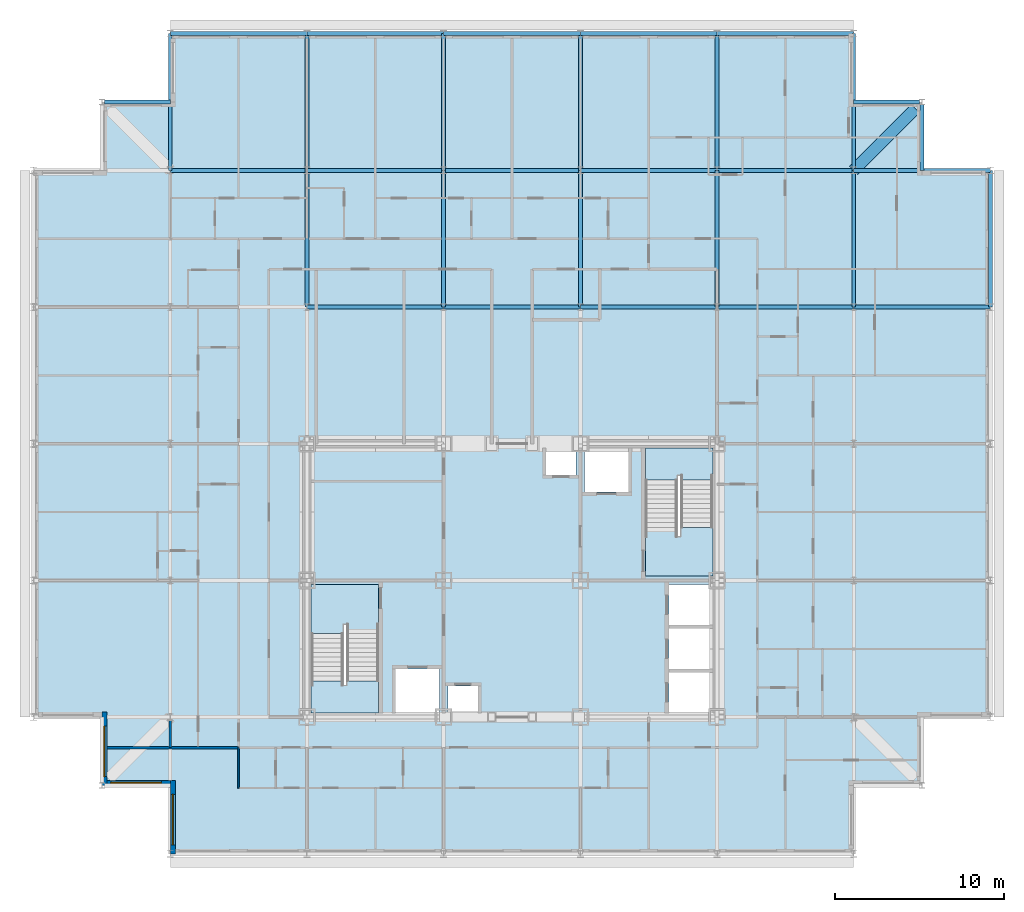
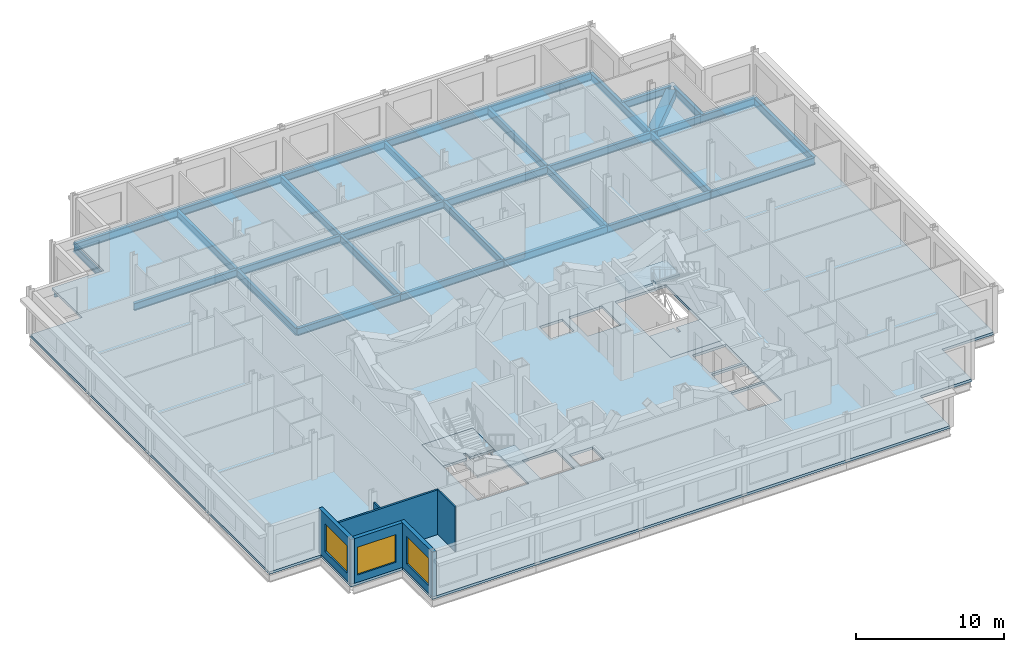
# One storey, part 6 of 15: 32 beams, 6 walls, 5 slabs, 3 windows, 3 openings, 2 elements without a shape of their own.
"""IFC4 building model written with IfcOpenShell, lengths in metres."""

from ifc_helpers import new_model, si_unit, direction, frame, frame_2d, origin, origin_2d, place, context, subcontext, project, spatial, polyline, rectangle, hollow_rectangle, i_section, outline, extrude, material, layer, layer_set, material_profile, profile_set, type_object, element, fill, aggregate, save


model = new_model("IFC4")

# Units and contexts
model_context = context("Model", 3, precision=1e-05, world=origin(), true_north=direction((0.0, 1.0)))
body_context = subcontext(model_context, "Body", "Model", "MODEL_VIEW")
ifc_project = project(units=[si_unit("LENGTHUNIT", "METRE"), si_unit("AREAUNIT", "SQUARE_METRE"), si_unit("VOLUMEUNIT", "CUBIC_METRE"), si_unit("PLANEANGLEUNIT", "RADIAN"), si_unit("MASSUNIT", "GRAM", prefix="KILO")], contexts=[model_context])

# Site, building, storey
site_placement = place(None, origin())
site = spatial("IfcSite", under=ifc_project, at=site_placement, CompositionType="ELEMENT")
building_placement = place(site_placement, origin())
building = spatial("IfcBuilding", under=site, at=building_placement, Name="Kopane Lantern Tower", CompositionType="ELEMENT")
storey_placement = place(building_placement, frame((0.0, 0.0, 273.60009765625)))
storey = spatial("IfcBuildingStorey", under=building, at=storey_placement, Name="L70", CompositionType="ELEMENT", Elevation=273.60009765625)

# Beams
ifc_material_1 = material(Name="Steel S355JR", Category="steel")
ifc_material_profile_1 = material_profile(ifc_material_1, hollow_rectangle(XDim=0.699951171875, YDim=0.699951171875, WallThickness=0.06005859375, at=origin_2d()), Name="BOX 700x700x60")
ifc_profile_set_1 = profile_set([ifc_material_profile_1], Name="Steel S355JR")
beam_type_1 = type_object("IfcBeamType", Name="CORNER TIE BEAM BOX 700x700x60", PredefinedType="BEAM", material=ifc_profile_set_1)
beam_1_placement = place(storey_placement, frame((52.25244140625, 60.3525390625, -0.56005859375), z_axis=(-0.707083148333, -0.70713041325, 0.0), x_axis=(0.70713041325, -0.707083148333, 0.0)))
element("IfcBeam", 1, at=beam_1_placement, inside=storey, type_object=beam_type_1, Name="Corner Tie Beam L70", PredefinedType="BEAM", context=body_context, shape_type="SweptSolid", body=[
    extrude(hollow_rectangle(XDim=0.699951171875, YDim=0.699951171875, WallThickness=0.06005859375, at=origin_2d()), origin(), (0.0, 0.0, 1.0), 5.165283203125),
])
ifc_material_2 = material(Name="Steel S355JR", Category="steel")
ifc_material_profile_2 = material_profile(ifc_material_2, i_section(OverallWidth=0.22900390625, OverallDepth=0.6123046875, WebThickness=0.011962890625, FlangeThickness=0.01953125, FilletRadius=0.0126953125, at=origin_2d()), Name="UB 610x229x125")
ifc_profile_set_2 = profile_set([ifc_material_profile_2], Name="Steel S355JR")
beam_type_2 = type_object("IfcBeamType", Name="EDGE BEAM UB 610x229x125", PredefinedType="BEAM", material=ifc_profile_set_2)
beam_2_placement = place(storey_placement, frame((4.20361328125, 60.75, -0.51611328125), z_axis=(1.0, 0.0, 0.0), x_axis=(0.0, 1.0, 0.0)))
element("IfcBeam", 2, at=beam_2_placement, inside=storey, type_object=beam_type_2, Name="Edge Beam L70", PredefinedType="BEAM", context=body_context, shape_type="SweptSolid", body=[
    extrude(i_section(OverallWidth=0.22900390625, OverallDepth=0.6123046875, WebThickness=0.011962890625, FlangeThickness=0.01953125, FilletRadius=0.0126953125, at=origin_2d()), origin(), (0.0, 0.0, 1.0), 3.896484375),
])
for number, where, z_axis, x_axis, name in (
    (3, (52.496337890625, 60.75, -0.51611328125), (-1.0, 0.0, 0.0), (0.0, -1.0, 0.0), "Edge Beam L70"),
    (4, (52.64990234375, 60.59619140625, -0.51611328125), (0.0, -1.0, 0.0), (1.0, 0.0, 0.0), "Edge Beam L70"),
):
    element("IfcBeam", number, at=place(storey_placement, frame(where, z_axis=z_axis, x_axis=x_axis)), inside=storey, type_object=beam_type_2, Name=name, PredefinedType="BEAM", context=body_context, shape_type="SweptSolid", body=[
        extrude(i_section(OverallWidth=0.22900390625, OverallDepth=0.6123046875, WebThickness=0.011962890625, FlangeThickness=0.01953125, FilletRadius=0.0126953125, at=origin_2d()), origin(), (0.0, 0.0, 1.0), 3.896240234375),
    ])
ifc_material_3 = material(Name="Steel S355JR", Category="steel")
ifc_material_profile_3 = material_profile(ifc_material_3, i_section(OverallWidth=0.22900390625, OverallDepth=0.6123046875, WebThickness=0.011962890625, FlangeThickness=0.01953125, FilletRadius=0.0126953125, at=origin_2d()), Name="UB 610x229x125")
ifc_profile_set_3 = profile_set([ifc_material_profile_3], Name="Steel S355JR")
beam_type_3 = type_object("IfcBeamType", Name="GIRDER UB 610x229x125", PredefinedType="BEAM", material=ifc_profile_set_3)
beam_3_placement = place(storey_placement, frame((8.10009765625, 56.699951171875, -0.51611328125), z_axis=(0.0, 1.0, 0.0), x_axis=(-1.0, 0.0, 0.0)))
element("IfcBeam", 5, at=beam_3_placement, inside=storey, type_object=beam_type_3, Name="Girder L70", PredefinedType="BEAM", context=body_context, shape_type="SweptSolid", body=[
    extrude(i_section(OverallWidth=0.22900390625, OverallDepth=0.6123046875, WebThickness=0.011962890625, FlangeThickness=0.01953125, FilletRadius=0.0126953125, at=origin_2d()), origin(), (0.0, 0.0, 1.0), 8.10009765625),
])
for number, where, z_axis, x_axis, name in (
    (6, (8.10009765625, 56.699951171875, -0.51611328125), (1.0, 0.0, 0.0), (0.0, 1.0, 0.0), "Girder L70"),
    (7, (8.10009765625, 64.800048828125, -0.51611328125), (1.0, 0.0, 0.0), (0.0, 1.0, 0.0), "Girder L70"),
    (8, (16.199951171875, 48.60009765625, -0.51611328125), (0.0, 1.0, 0.0), (-1.0, 0.0, 0.0), "Girder L70"),
):
    element("IfcBeam", number, at=place(storey_placement, frame(where, z_axis=z_axis, x_axis=x_axis)), inside=storey, type_object=beam_type_3, Name=name, PredefinedType="BEAM", context=body_context, shape_type="SweptSolid", body=[
        extrude(i_section(OverallWidth=0.22900390625, OverallDepth=0.6123046875, WebThickness=0.011962890625, FlangeThickness=0.01953125, FilletRadius=0.0126953125, at=origin_2d()), origin(), (0.0, 0.0, 1.0), 8.099853515625),
    ])
for number, where, z_axis, x_axis, name in (
    (9, (16.199951171875, 48.60009765625, -0.51611328125), (1.0, 0.0, 0.0), (0.0, 1.0, 0.0), "Girder L70"),
    (10, (16.199951171875, 56.699951171875, -0.51611328125), (0.0, 1.0, 0.0), (-1.0, 0.0, 0.0), "Girder L70"),
    (11, (16.199951171875, 56.699951171875, -0.51611328125), (1.0, 0.0, 0.0), (0.0, 1.0, 0.0), "Girder L70"),
    (12, (16.199951171875, 64.800048828125, -0.51611328125), (1.0, 0.0, 0.0), (0.0, 1.0, 0.0), "Girder L70"),
):
    element("IfcBeam", number, at=place(storey_placement, frame(where, z_axis=z_axis, x_axis=x_axis)), inside=storey, type_object=beam_type_3, Name=name, PredefinedType="BEAM", context=body_context, shape_type="SweptSolid", body=[
        extrude(i_section(OverallWidth=0.22900390625, OverallDepth=0.6123046875, WebThickness=0.011962890625, FlangeThickness=0.01953125, FilletRadius=0.0126953125, at=origin_2d()), origin(), (0.0, 0.0, 1.0), 8.10009765625),
    ])
for number, where, z_axis, x_axis, name in (
    (13, (24.300048828125, 48.60009765625, -0.51611328125), (0.0, 1.0, 0.0), (-1.0, 0.0, 0.0), "Girder L70"),
    (14, (24.300048828125, 48.60009765625, -0.51611328125), (1.0, 0.0, 0.0), (0.0, 1.0, 0.0), "Girder L70"),
):
    element("IfcBeam", number, at=place(storey_placement, frame(where, z_axis=z_axis, x_axis=x_axis)), inside=storey, type_object=beam_type_3, Name=name, PredefinedType="BEAM", context=body_context, shape_type="SweptSolid", body=[
        extrude(i_section(OverallWidth=0.22900390625, OverallDepth=0.6123046875, WebThickness=0.011962890625, FlangeThickness=0.01953125, FilletRadius=0.0126953125, at=origin_2d()), origin(), (0.0, 0.0, 1.0), 8.099853515625),
    ])
beam_4_placement = place(storey_placement, frame((24.300048828125, 56.699951171875, -0.51611328125), z_axis=(0.0, 1.0, 0.0), x_axis=(-1.0, 0.0, 0.0)))
element("IfcBeam", 15, at=beam_4_placement, inside=storey, type_object=beam_type_3, Name="Girder L70", PredefinedType="BEAM", context=body_context, shape_type="SweptSolid", body=[
    extrude(i_section(OverallWidth=0.22900390625, OverallDepth=0.6123046875, WebThickness=0.011962890625, FlangeThickness=0.01953125, FilletRadius=0.0126953125, at=origin_2d()), origin(), (0.0, 0.0, 1.0), 8.10009765625),
])
for number, where, z_axis, x_axis, name in (
    (16, (24.300048828125, 56.699951171875, -0.51611328125), (1.0, 0.0, 0.0), (0.0, 1.0, 0.0), "Girder L70"),
    (17, (24.300048828125, 64.800048828125, -0.51611328125), (1.0, 0.0, 0.0), (0.0, 1.0, 0.0), "Girder L70"),
    (18, (32.39990234375, 48.60009765625, -0.51611328125), (0.0, 1.0, 0.0), (-1.0, 0.0, 0.0), "Girder L70"),
):
    element("IfcBeam", number, at=place(storey_placement, frame(where, z_axis=z_axis, x_axis=x_axis)), inside=storey, type_object=beam_type_3, Name=name, PredefinedType="BEAM", context=body_context, shape_type="SweptSolid", body=[
        extrude(i_section(OverallWidth=0.22900390625, OverallDepth=0.6123046875, WebThickness=0.011962890625, FlangeThickness=0.01953125, FilletRadius=0.0126953125, at=origin_2d()), origin(), (0.0, 0.0, 1.0), 8.099853515625),
    ])
for number, where, z_axis, x_axis, name in (
    (19, (32.39990234375, 48.60009765625, -0.51611328125), (1.0, 0.0, 0.0), (0.0, 1.0, 0.0), "Girder L70"),
    (20, (32.39990234375, 56.699951171875, -0.51611328125), (0.0, 1.0, 0.0), (-1.0, 0.0, 0.0), "Girder L70"),
    (21, (32.39990234375, 56.699951171875, -0.51611328125), (1.0, 0.0, 0.0), (0.0, 1.0, 0.0), "Girder L70"),
    (22, (32.39990234375, 64.800048828125, -0.51611328125), (1.0, 0.0, 0.0), (0.0, 1.0, 0.0), "Girder L70"),
):
    element("IfcBeam", number, at=place(storey_placement, frame(where, z_axis=z_axis, x_axis=x_axis)), inside=storey, type_object=beam_type_3, Name=name, PredefinedType="BEAM", context=body_context, shape_type="SweptSolid", body=[
        extrude(i_section(OverallWidth=0.22900390625, OverallDepth=0.6123046875, WebThickness=0.011962890625, FlangeThickness=0.01953125, FilletRadius=0.0126953125, at=origin_2d()), origin(), (0.0, 0.0, 1.0), 8.10009765625),
    ])
beam_5_placement = place(storey_placement, frame((40.5, 48.60009765625, -0.51611328125), z_axis=(0.0, 1.0, 0.0), x_axis=(-1.0, 0.0, 0.0)))
element("IfcBeam", 23, at=beam_5_placement, inside=storey, type_object=beam_type_3, Name="Girder L70", PredefinedType="BEAM", context=body_context, shape_type="SweptSolid", body=[
    extrude(i_section(OverallWidth=0.22900390625, OverallDepth=0.6123046875, WebThickness=0.011962890625, FlangeThickness=0.01953125, FilletRadius=0.0126953125, at=origin_2d()), origin(), (0.0, 0.0, 1.0), 8.099853515625),
])
for number, where, z_axis, x_axis, name in (
    (24, (40.5, 48.60009765625, -0.51611328125), (1.0, 0.0, 0.0), (0.0, 1.0, 0.0), "Girder L70"),
    (25, (40.5, 56.699951171875, -0.51611328125), (0.0, 1.0, 0.0), (-1.0, 0.0, 0.0), "Girder L70"),
    (26, (40.5, 56.699951171875, -0.51611328125), (1.0, 0.0, 0.0), (0.0, 1.0, 0.0), "Girder L70"),
    (27, (40.5, 64.800048828125, -0.51611328125), (1.0, 0.0, 0.0), (0.0, 1.0, 0.0), "Girder L70"),
):
    element("IfcBeam", number, at=place(storey_placement, frame(where, z_axis=z_axis, x_axis=x_axis)), inside=storey, type_object=beam_type_3, Name=name, PredefinedType="BEAM", context=body_context, shape_type="SweptSolid", body=[
        extrude(i_section(OverallWidth=0.22900390625, OverallDepth=0.6123046875, WebThickness=0.011962890625, FlangeThickness=0.01953125, FilletRadius=0.0126953125, at=origin_2d()), origin(), (0.0, 0.0, 1.0), 8.10009765625),
    ])
for number, where, z_axis, x_axis, name in (
    (28, (48.60009765625, 48.60009765625, -0.51611328125), (0.0, 1.0, 0.0), (-1.0, 0.0, 0.0), "Girder L70"),
    (29, (48.60009765625, 48.60009765625, -0.51611328125), (1.0, 0.0, 0.0), (0.0, 1.0, 0.0), "Girder L70"),
):
    element("IfcBeam", number, at=place(storey_placement, frame(where, z_axis=z_axis, x_axis=x_axis)), inside=storey, type_object=beam_type_3, Name=name, PredefinedType="BEAM", context=body_context, shape_type="SweptSolid", body=[
        extrude(i_section(OverallWidth=0.22900390625, OverallDepth=0.6123046875, WebThickness=0.011962890625, FlangeThickness=0.01953125, FilletRadius=0.0126953125, at=origin_2d()), origin(), (0.0, 0.0, 1.0), 8.099853515625),
    ])
beam_6_placement = place(storey_placement, frame((48.60009765625, 56.699951171875, -0.51611328125), z_axis=(0.0, 1.0, 0.0), x_axis=(-1.0, 0.0, 0.0)))
element("IfcBeam", 30, at=beam_6_placement, inside=storey, type_object=beam_type_3, Name="Girder L70", PredefinedType="BEAM", context=body_context, shape_type="SweptSolid", body=[
    extrude(i_section(OverallWidth=0.22900390625, OverallDepth=0.6123046875, WebThickness=0.011962890625, FlangeThickness=0.01953125, FilletRadius=0.0126953125, at=origin_2d()), origin(), (0.0, 0.0, 1.0), 8.10009765625),
])
for number, where, z_axis, x_axis, name in (
    (31, (48.60009765625, 56.699951171875, -0.51611328125), (1.0, 0.0, 0.0), (0.0, 1.0, 0.0), "Girder L70"),
    (32, (56.699951171875, 48.60009765625, -0.51611328125), (0.0, 1.0, 0.0), (-1.0, 0.0, 0.0), "Girder L70"),
):
    element("IfcBeam", number, at=place(storey_placement, frame(where, z_axis=z_axis, x_axis=x_axis)), inside=storey, type_object=beam_type_3, Name=name, PredefinedType="BEAM", context=body_context, shape_type="SweptSolid", body=[
        extrude(i_section(OverallWidth=0.22900390625, OverallDepth=0.6123046875, WebThickness=0.011962890625, FlangeThickness=0.01953125, FilletRadius=0.0126953125, at=origin_2d()), origin(), (0.0, 0.0, 1.0), 8.099853515625),
    ])

# Slab
ifc_material_4 = material(Name="Concrete C40/50", Category="concrete")
ifc_layer_1 = layer(ifc_material_4, 0.2099609375)
ifc_layer_set_1 = layer_set([ifc_layer_1], Name="SLAB 210 COMPOSITE")
slab_type_1 = type_object("IfcSlabType", Name="SLAB 210 COMPOSITE", PredefinedType="FLOOR", material=ifc_layer_set_1)
slab_1_placement = place(storey_placement, frame((0.0, 0.0, -0.210205078125)))
element("IfcSlab", 33, at=slab_1_placement, inside=storey, type_object=slab_type_1, Name="Floor slab L70", PredefinedType="FLOOR", context=body_context, shape_type="SweptSolid", body=[
    extrude(outline(polyline([(8.10009765625, 16.199951171875), (48.60009765625, 16.199951171875), (48.60009765625, 20.25), (52.64990234375, 20.25), (52.64990234375, 24.300048828125), (56.699951171875, 24.300048828125), (56.699951171875, 56.699951171875), (52.64990234375, 56.699951171875), (52.64990234375, 60.75), (48.60009765625, 60.75), (48.60009765625, 64.800048828125), (8.10009765625, 64.800048828125), (8.10009765625, 60.75), (4.050048828125, 60.75), (4.050048828125, 56.699951171875), (0.0, 56.699951171875), (0.0, 24.300048828125), (4.050048828125, 24.300048828125), (4.050048828125, 20.25), (8.10009765625, 20.25), (8.10009765625, 16.199951171875)]), holes=[polyline([(16.449951171875, 24.550048828125), (20.449951171875, 24.550048828125), (20.449951171875, 32.14990234375), (16.449951171875, 32.14990234375), (16.449951171875, 24.550048828125)]), polyline([(36.25, 32.64990234375), (40.25, 32.64990234375), (40.25, 40.25), (36.25, 40.25), (36.25, 32.64990234375)]), polyline([(37.64990234375, 24.550048828125), (40.25, 24.550048828125), (40.25, 26.949951171875), (37.64990234375, 26.949951171875), (37.64990234375, 24.550048828125)]), polyline([(37.64990234375, 27.14990234375), (40.25, 27.14990234375), (40.25, 29.550048828125), (37.64990234375, 29.550048828125), (37.64990234375, 27.14990234375)]), polyline([(37.64990234375, 29.75), (40.25, 29.75), (40.25, 32.14990234375), (37.64990234375, 32.14990234375), (37.64990234375, 29.75)]), polyline([(21.449951171875, 24.550048828125), (24.050048828125, 24.550048828125), (24.050048828125, 27.14990234375), (21.449951171875, 27.14990234375), (21.449951171875, 24.550048828125)]), polyline([(32.64990234375, 37.64990234375), (35.25, 37.64990234375), (35.25, 40.25), (32.64990234375, 40.25), (32.64990234375, 37.64990234375)]), polyline([(24.550048828125, 24.550048828125), (26.35009765625, 24.550048828125), (26.35009765625, 26.14990234375), (24.550048828125, 26.14990234375), (24.550048828125, 24.550048828125)]), polyline([(30.35009765625, 38.64990234375), (32.14990234375, 38.64990234375), (32.14990234375, 40.25), (30.35009765625, 40.25), (30.35009765625, 38.64990234375)])]), origin(), (0.0, 0.0, 1.0), 0.210205078125),
])

# Stair, slabs
ifc_material_5 = material(Name="Steel S355JR", Category="steel")
stair_type = type_object("IfcStairType", Name="EXIT STAIR 1900 HALF TURN", PredefinedType="HALF_TURN_STAIR", material=ifc_material_5)
stair_1_placement = place(storey_placement, origin())
stair_1 = element("IfcStair", 34, at=stair_1_placement, inside=storey, type_object=stair_type, Name="Exit stair ST1 L70", PredefinedType="HALF_TURN_STAIR")
ifc_material_6 = material(Name="Concrete C40/50", Category="concrete")
ifc_layer_2 = layer(ifc_material_6, 0.199951171875)
ifc_layer_set_2 = layer_set([ifc_layer_2], Name="STAIR LANDING 200")
slab_type_2 = type_object("IfcSlabType", Name="STAIR LANDING 200", PredefinedType="LANDING", material=ifc_layer_set_2)
slab_2_placement = place(storey_placement, frame((0.0, 0.0, -0.2001953125)))
slab_2 = element("IfcSlab", 35, at=slab_2_placement, type_object=slab_type_2, Name="ST1 landing 1", PredefinedType="LANDING", context=body_context, shape_type="SweptSolid", body=[
    extrude(outline(polyline([(18.35009765625, 29.81005859375), (18.550048828125, 29.81005859375), (18.550048828125, 29.25), (20.449951171875, 29.25), (20.449951171875, 32.14990234375), (16.449951171875, 32.14990234375), (16.449951171875, 29.25), (18.35009765625, 29.25), (18.35009765625, 29.81005859375)])), origin(), (0.0, 0.0, 1.0), 0.2001953125),
])
slab_3_placement = place(storey_placement, frame((0.0, 0.0, 1.834716796875)))
slab_3 = element("IfcSlab", 36, at=slab_3_placement, type_object=slab_type_2, Name="ST1 landing 2", PredefinedType="LANDING", context=body_context, shape_type="SweptSolid", body=[
    extrude(outline(polyline([(20.449951171875, 26.449951171875), (18.550048828125, 26.449951171875), (18.550048828125, 26.169921875), (18.35009765625, 26.169921875), (18.35009765625, 26.449951171875), (16.449951171875, 26.449951171875), (16.449951171875, 24.550048828125), (20.449951171875, 24.550048828125), (20.449951171875, 26.449951171875)])), origin(), (0.0, 0.0, 1.0), 0.199951171875),
])
aggregate(stair_1, [slab_2, slab_3])

stair_2_placement = place(storey_placement, origin())
stair_2 = element("IfcStair", 37, at=stair_2_placement, inside=storey, type_object=stair_type, Name="Exit stair ST2 L70", PredefinedType="HALF_TURN_STAIR")
slab_4_placement = place(storey_placement, frame((0.0, 0.0, -0.2001953125)))
slab_4 = element("IfcSlab", 38, at=slab_4_placement, type_object=slab_type_2, Name="ST2 landing 1", PredefinedType="LANDING", context=body_context, shape_type="SweptSolid", body=[
    extrude(outline(polyline([(40.25, 35.550048828125), (38.35009765625, 35.550048828125), (38.35009765625, 34.989990234375), (38.14990234375, 34.989990234375), (38.14990234375, 35.550048828125), (36.25, 35.550048828125), (36.25, 32.64990234375), (40.25, 32.64990234375), (40.25, 35.550048828125)])), origin(), (0.0, 0.0, 1.0), 0.2001953125),
])
slab_5_placement = place(storey_placement, frame((0.0, 0.0, 1.834716796875)))
slab_5 = element("IfcSlab", 39, at=slab_5_placement, type_object=slab_type_2, Name="ST2 landing 2", PredefinedType="LANDING", context=body_context, shape_type="SweptSolid", body=[
    extrude(outline(polyline([(38.14990234375, 38.6298828125), (38.35009765625, 38.6298828125), (38.35009765625, 38.35009765625), (40.25, 38.35009765625), (40.25, 40.25), (36.25, 40.25), (36.25, 38.35009765625), (38.14990234375, 38.35009765625), (38.14990234375, 38.6298828125)])), origin(), (0.0, 0.0, 1.0), 0.199951171875),
])
aggregate(stair_2, [slab_4, slab_5])

# Walls
ifc_material_7 = material(Name="Gypsum board on steel studs", Category="steel")
ifc_layer_3 = layer(ifc_material_7, 0.1201171875)
ifc_layer_set_3 = layer_set([ifc_layer_3], Name="APARTMENT INTERNAL WALL 120")
wall_type_1 = type_object("IfcWallType", Name="APARTMENT INTERNAL WALL 120", PredefinedType="PARTITIONING", material=ifc_layer_set_3)
wall_1_placement = place(storey_placement, frame((8.10009765625, 22.5, 0.0), z_axis=(0.0, 0.0, 1.0), x_axis=(0.0, 1.0, 0.0)))
element("IfcWall", 40, at=wall_1_placement, inside=storey, type_object=wall_type_1, Name="Apartment Internal Wall 120 L70", PredefinedType="PARTITIONING", context=body_context, shape_type="SweptSolid", body=[
    extrude(rectangle(XDim=1.596923828125, YDim=0.1201171875, at=frame_2d((0.79833984375, 0.0))), origin(), (0.0, 0.0, 1.0), 3.07763671875),
])
ifc_material_8 = material(Name="Moisture-resistant board on steel studs", Category="steel")
ifc_layer_4 = layer(ifc_material_8, 0.10009765625)
ifc_layer_set_4 = layer_set([ifc_layer_4], Name="BATHROOM WALL 100")
wall_type_2 = type_object("IfcWallType", Name="BATHROOM WALL 100", PredefinedType="PARTITIONING", material=ifc_layer_set_4)
wall_2_placement = place(storey_placement, frame((12.14990234375, 22.5, 0.0), z_axis=(0.0, 0.0, 1.0), x_axis=(0.0, -1.0, 0.0)))
element("IfcWall", 41, at=wall_2_placement, inside=storey, type_object=wall_type_2, Name="Bathroom Wall 100 L70", PredefinedType="PARTITIONING", context=body_context, shape_type="SweptSolid", body=[
    extrude(rectangle(XDim=2.39990234375, YDim=0.10009765625, at=frame_2d((1.199951171875, 0.0))), origin(), (0.0, 0.0, 1.0), 3.68994140625),
])
ifc_material_9 = material(Name="Gypsum board on steel studs", Category="steel")
ifc_layer_5 = layer(ifc_material_9, 0.14990234375)
ifc_layer_set_5 = layer_set([ifc_layer_5], Name="DEMISING WALL 150 EI 60")
wall_type_3 = type_object("IfcWallType", Name="DEMISING WALL 150 EI 60", PredefinedType="PARTITIONING", material=ifc_layer_set_5)
wall_3_placement = place(storey_placement, frame((4.35009765625, 22.5, 0.0), z_axis=(0.0, 0.0, 1.0), x_axis=(1.0, 0.0, 0.0)))
element("IfcWall", 42, at=wall_3_placement, inside=storey, type_object=wall_type_3, Name="Demising Wall 150 Ei 60 L70", PredefinedType="PARTITIONING", context=body_context, shape_type="SweptSolid", body=[
    extrude(rectangle(XDim=7.7998046875, YDim=0.14990234375, at=frame_2d((3.89990234375, 0.0))), origin(), (0.0, 0.0, 1.0), 3.68994140625),
])

# Wall, opening, window
ifc_material_10 = material(Name="Terracotta rainscreen on light steel framing", Category="masonry")
ifc_layer_6 = layer(ifc_material_10, 0.300048828125)
ifc_layer_set_6 = layer_set([ifc_layer_6], Name="EXTERNAL WALL EW1 300 TERRACOTTA")
wall_type_4 = type_object("IfcWallType", Name="EXTERNAL WALL EW1 300 TERRACOTTA", PredefinedType="SOLIDWALL", material=ifc_layer_set_6)
wall_4_placement = place(storey_placement, frame((4.199951171875, 24.60009765625, 0.0), z_axis=(0.0, 0.0, 1.0), x_axis=(0.0, -1.0, 0.0)))
wall_4 = element("IfcWall", 43, at=wall_4_placement, inside=storey, type_object=wall_type_4, Name="External wall W L70", PredefinedType="SOLIDWALL", context=body_context, shape_type="SweptSolid", body=[
    extrude(rectangle(XDim=4.35009765625, YDim=0.300048828125, at=frame_2d((2.175048828125, 0.0))), origin(), (0.0, 0.0, 1.0), 3.68994140625),
])
opening_1_placement = place(wall_4_placement, frame((0.824951171875, 0.0, 0.60009765625)))
opening_1 = element("IfcOpeningElement", 44, at=opening_1_placement, cuts=wall_4, Name="Opening WR300230", PredefinedType="OPENING", context=body_context, shape_type="SweptSolid", body=[
    extrude(rectangle(XDim=3.0, YDim=2.300048828125, at=frame_2d((1.5, 1.14990234375))), frame((0.0, 0.159912109375, 0.0), z_axis=(0.0, -1.0, 0.0), x_axis=(1.0, 0.0, 0.0)), (0.0, 0.0, 1.0), 0.320068359375),
])
ifc_material_11 = material(Name="Aluminium and clear glass", Category="aluminium")
window_type = type_object("IfcWindowType", Name="RIBBON WINDOW WR300230 3000x2300", PartitioningType="SINGLE_PANEL", PredefinedType="WINDOW", material=ifc_material_11)
window_1_placement = place(opening_1_placement, origin())
window_1 = element("IfcWindow", 45, at=window_1_placement, inside=storey, type_object=window_type, Name="Window W L70", OverallHeight=2.300048828125, OverallWidth=3.0, PartitioningType="SINGLE_PANEL", PredefinedType="WINDOW", context=body_context, shape_type="SweptSolid", body=[
    extrude(rectangle(XDim=3.0, YDim=2.300048828125, at=frame_2d((1.5, 1.14990234375))), frame((0.0, 0.030029296875, 0.0), z_axis=(0.0, -1.0, 0.0), x_axis=(1.0, 0.0, 0.0)), (0.0, 0.0, 1.0), 0.06005859375),
])
fill(opening_1, window_1)

wall_5_placement = place(storey_placement, frame((4.35009765625, 20.39990234375, 0.0), z_axis=(0.0, 0.0, 1.0), x_axis=(1.0, 0.0, 0.0)))
wall_5 = element("IfcWall", 46, at=wall_5_placement, inside=storey, type_object=wall_type_4, Name="External wall S L70", PredefinedType="SOLIDWALL", context=body_context, shape_type="SweptSolid", body=[
    extrude(rectangle(XDim=3.75, YDim=0.300048828125, at=frame_2d((1.875, 0.0))), origin(), (0.0, 0.0, 1.0), 3.68994140625),
])
opening_2_placement = place(wall_5_placement, frame((0.22509765625, 0.0, 0.60009765625)))
opening_2 = element("IfcOpeningElement", 47, at=opening_2_placement, cuts=wall_5, Name="Opening WR300230", PredefinedType="OPENING", context=body_context, shape_type="SweptSolid", body=[
    extrude(rectangle(XDim=3.0, YDim=2.300048828125, at=frame_2d((1.5, 1.14990234375))), frame((0.0, 0.159912109375, 0.0), z_axis=(0.0, -1.0, 0.0), x_axis=(1.0, 0.0, 0.0)), (0.0, 0.0, 1.0), 0.320068359375),
])
window_2_placement = place(opening_2_placement, origin())
window_2 = element("IfcWindow", 48, at=window_2_placement, inside=storey, type_object=window_type, Name="Window S L70", OverallHeight=2.300048828125, OverallWidth=3.0, PartitioningType="SINGLE_PANEL", PredefinedType="WINDOW", context=body_context, shape_type="SweptSolid", body=[
    extrude(rectangle(XDim=3.0, YDim=2.300048828125, at=frame_2d((1.5, 1.14990234375))), frame((0.0, 0.030029296875, 0.0), z_axis=(0.0, -1.0, 0.0), x_axis=(1.0, 0.0, 0.0)), (0.0, 0.0, 1.0), 0.06005859375),
])
fill(opening_2, window_2)

wall_6_placement = place(storey_placement, frame((8.25, 20.550048828125, 0.0), z_axis=(0.0, 0.0, 1.0), x_axis=(0.0, -1.0, 0.0)))
wall_6 = element("IfcWall", 49, at=wall_6_placement, inside=storey, type_object=wall_type_4, Name="External wall W L70", PredefinedType="SOLIDWALL", context=body_context, shape_type="SweptSolid", body=[
    extrude(rectangle(XDim=4.35009765625, YDim=0.300048828125, at=frame_2d((2.175048828125, 0.0))), origin(), (0.0, 0.0, 1.0), 3.68994140625),
])
opening_3_placement = place(wall_6_placement, frame((0.824951171875, 0.0, 0.60009765625)))
opening_3 = element("IfcOpeningElement", 50, at=opening_3_placement, cuts=wall_6, Name="Opening WR300230", PredefinedType="OPENING", context=body_context, shape_type="SweptSolid", body=[
    extrude(rectangle(XDim=3.0, YDim=2.300048828125, at=frame_2d((1.5, 1.14990234375))), frame((0.0, 0.159912109375, 0.0), z_axis=(0.0, -1.0, 0.0), x_axis=(1.0, 0.0, 0.0)), (0.0, 0.0, 1.0), 0.320068359375),
])
window_3_placement = place(opening_3_placement, origin())
window_3 = element("IfcWindow", 51, at=window_3_placement, inside=storey, type_object=window_type, Name="Window W L70", OverallHeight=2.300048828125, OverallWidth=3.0, PartitioningType="SINGLE_PANEL", PredefinedType="WINDOW", context=body_context, shape_type="SweptSolid", body=[
    extrude(rectangle(XDim=3.0, YDim=2.300048828125, at=frame_2d((1.5, 1.14990234375))), frame((0.0, 0.030029296875, 0.0), z_axis=(0.0, -1.0, 0.0), x_axis=(1.0, 0.0, 0.0)), (0.0, 0.0, 1.0), 0.06005859375),
])
fill(opening_3, window_3)

save(model, "model.ifc")
